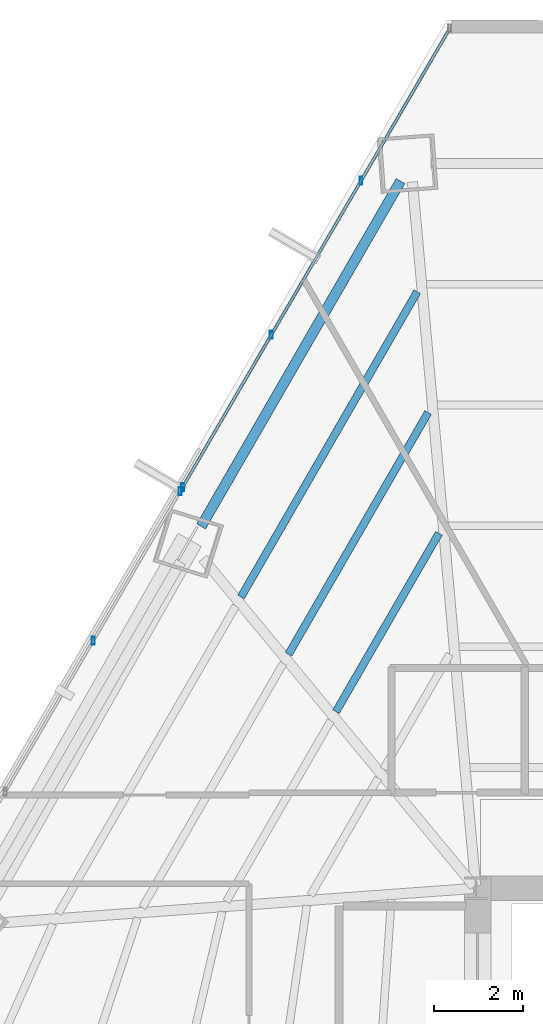
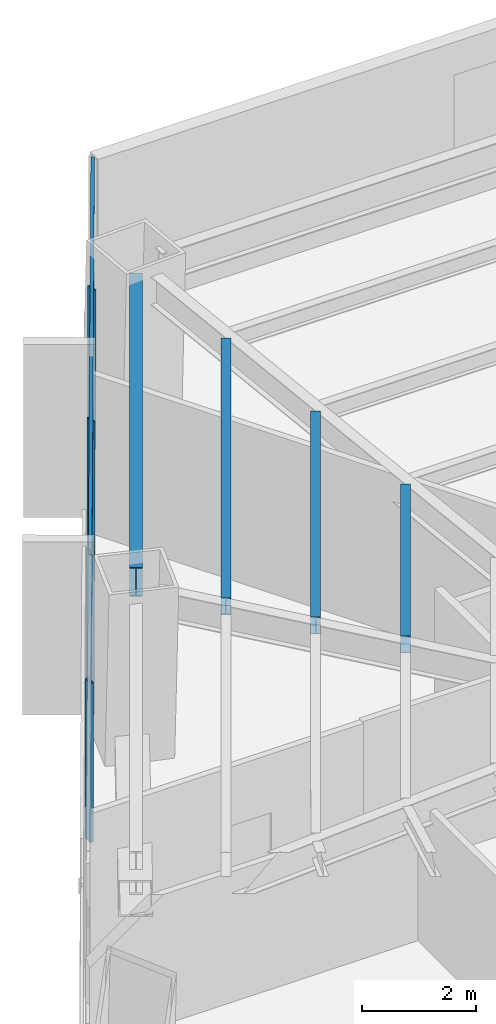
# One storey, part 22 of 33: 7 members, 4 beams, 2 elements without a shape of their own.
"""IFC4 building model written with IfcOpenShell, lengths in metres."""

from ifc_helpers import new_model, si_unit, direction, frame, origin, origin_2d, place, context, subcontext, project, spatial, hollow_rectangle, i_section, extrude, source, transform, mapped, material, material_profile, profile_set, type_object, type_shapes, element, aggregate, save


model = new_model("IFC4")

# Units and contexts
model_context = context("Model", 3, precision=1e-05, world=origin(), true_north=direction((0.0, 1.0)))
body_context = subcontext(model_context, "Body", "Model", "MODEL_VIEW")
ifc_project = project(units=[si_unit("LENGTHUNIT", "METRE"), si_unit("AREAUNIT", "SQUARE_METRE"), si_unit("VOLUMEUNIT", "CUBIC_METRE"), si_unit("PLANEANGLEUNIT", "RADIAN"), si_unit("MASSUNIT", "GRAM", prefix="KILO")], contexts=[model_context])

# Site, building, storey
site_placement = place(None, origin())
site = spatial("IfcSite", under=ifc_project, at=site_placement, CompositionType="ELEMENT")
building_placement = place(site_placement, origin())
building = spatial("IfcBuilding", under=site, at=building_placement, Name="Caelisora Broadcast Tower", CompositionType="ELEMENT")
storey_placement = place(building_placement, frame((0.0, 0.0, 38.550048828125)))
storey = spatial("IfcBuildingStorey", under=building, at=storey_placement, Name="L09", CompositionType="ELEMENT", Elevation=38.550048828125)

# Beams
ifc_material_1 = material(Name="Steel Grade 350 (AS/NZS 3679.1)", Category="steel")
ifc_material_profile_1 = material_profile(ifc_material_1, i_section(OverallWidth=0.22900390625, OverallDepth=0.611572265625, WebThickness=0.011962890625, FlangeThickness=0.01953125, at=origin_2d()), Name="Steel Grade 350 (AS/NZS 3679.1)")
ifc_profile_set_1 = profile_set([ifc_material_profile_1], Name="Steel Grade 350 (AS/NZS 3679.1)")
beam_type_1 = type_object("IfcBeamType", Name="PG03", PredefinedType="BEAM", material=ifc_profile_set_1)
shared_shape_1 = source(origin(), body_context, "Body", "SweptSolid", [
    extrude(i_section(OverallWidth=0.22900390625, OverallDepth=0.611572265625, WebThickness=0.011962890625, FlangeThickness=0.01953125, at=origin_2d()), origin(), (0.0, 0.0, 1.0), 8.966064453125),
])
type_shapes(beam_type_1, [shared_shape_1])
beam_1_placement = place(storey_placement, frame((28.807373046875, 45.8994140625, 3.09423828125), z_axis=(-0.500007651797, -0.866020985972, 0.0), x_axis=(0.866020985972, -0.500007651797, 0.0)))
element("IfcBeam", 1, at=beam_1_placement, inside=storey, type_object=beam_type_1, Name="L09 beam PG03", PredefinedType="BEAM", context=body_context, shape_type="MappedRepresentation", body=[
    mapped(shared_shape_1, transform((0.0, 0.0, 0.0), scale=1.0)),
])
ifc_material_profile_2 = material_profile(ifc_material_1, i_section(OverallWidth=0.172119140625, OverallDepth=0.358642578125, WebThickness=0.008056640625, FlangeThickness=0.012939453125, at=origin_2d()), Name="Steel Grade 350 (AS/NZS 3679.1)")
ifc_profile_set_2 = profile_set([ifc_material_profile_2], Name="Steel Grade 350 (AS/NZS 3679.1)")
beam_type_2 = type_object("IfcBeamType", Name="SB02", PredefinedType="JOIST", material=ifc_profile_set_2)
shared_shape_2 = source(origin(), body_context, "Body", "SweptSolid", [
    extrude(i_section(OverallWidth=0.172119140625, OverallDepth=0.358642578125, WebThickness=0.008056640625, FlangeThickness=0.012939453125, at=origin_2d()), origin(), (0.0, 0.0, 1.0), 4.62939453125),
])
beam_2_placement = place(storey_placement, frame((29.671142578125, 37.97998046875, 3.220703125), z_axis=(-0.4999902654, -0.866031023985, 0.0), x_axis=(0.866031023985, -0.4999902654, 0.0)))
element("IfcBeam", 2, at=beam_2_placement, inside=storey, type_object=beam_type_2, Name="L09 beam SB02", PredefinedType="JOIST", context=body_context, shape_type="MappedRepresentation", body=[
    mapped(shared_shape_2, transform((0.0, 0.0, 0.0), scale=1.0)),
])
shared_shape_3 = source(origin(), body_context, "Body", "SweptSolid", [
    extrude(i_section(OverallWidth=0.172119140625, OverallDepth=0.358642578125, WebThickness=0.008056640625, FlangeThickness=0.012939453125, at=origin_2d()), origin(), (0.0, 0.0, 1.0), 6.27685546875),
])
beam_3_placement = place(storey_placement, frame((29.42724609375, 40.6962890625, 3.220703125), z_axis=(-0.499991800177, -0.866030137903, 0.0), x_axis=(0.866030137903, -0.499991800177, 0.0)))
element("IfcBeam", 3, at=beam_3_placement, inside=storey, type_object=beam_type_2, Name="L09 beam SB02", PredefinedType="JOIST", context=body_context, shape_type="MappedRepresentation", body=[
    mapped(shared_shape_3, transform((0.0, 0.0, 0.0), scale=1.0)),
])
shared_shape_4 = source(origin(), body_context, "Body", "SweptSolid", [
    extrude(i_section(OverallWidth=0.172119140625, OverallDepth=0.358642578125, WebThickness=0.008056640625, FlangeThickness=0.012939453125, at=origin_2d()), origin(), (0.0, 0.0, 1.0), 7.9248046875),
])
type_shapes(beam_type_2, [shared_shape_2, shared_shape_3, shared_shape_4])
beam_4_placement = place(storey_placement, frame((29.18359375, 43.41259765625, 3.220703125), z_axis=(-0.500002462644, -0.866023981971, 0.0), x_axis=(0.866023981971, -0.500002462644, 0.0)))
element("IfcBeam", 4, at=beam_4_placement, inside=storey, type_object=beam_type_2, Name="L09 beam SB02", PredefinedType="JOIST", context=body_context, shape_type="MappedRepresentation", body=[
    mapped(shared_shape_4, transform((0.0, 0.0, 0.0), scale=1.0)),
])

# Curtain wall, members
ifc_material_2 = material(Name="Unitised Aluminium Insulated Shadow-Box Spandrel Curtain Wall", Category="aluminium")
curtain_wall_type_1 = type_object("IfcCurtainWallType", Name="CW-SP1", PredefinedType="NOTDEFINED", material=ifc_material_2)
curtain_wall_1_placement = place(storey_placement, origin())
curtain_wall_1 = element("IfcCurtainWall", 5, at=curtain_wall_1_placement, inside=storey, type_object=curtain_wall_type_1, Name="L09 curtain wall CW-SP1", PredefinedType="NOTDEFINED")
ifc_material_3 = material(Name="Aluminium 6063-T6 Anodised Terracotta Bronze", Category="aluminium")
ifc_material_profile_3 = material_profile(ifc_material_3, hollow_rectangle(XDim=0.06494140625, YDim=0.179931640625, WallThickness=0.00341796875, at=origin_2d()), Name="Aluminium 6063-T6 Anodised Terracotta Bronze")
ifc_profile_set_3 = profile_set([ifc_material_profile_3], Name="Aluminium 6063-T6 Anodised Terracotta Bronze")
member_type_1 = type_object("IfcMemberType", Name="CWM-02", PredefinedType="MULLION", material=ifc_profile_set_3)
shared_shape_5 = source(origin(), body_context, "Body", "SweptSolid", [
    extrude(hollow_rectangle(XDim=0.06494140625, YDim=0.179931640625, WallThickness=0.00341796875, at=origin_2d()), origin(), (0.0, 0.0, 1.0), 3.39990234375),
])
type_shapes(member_type_1, [shared_shape_5])
member_1_placement = place(storey_placement, frame((21.899169921875, 35.568603515625, 0.0), z_axis=(0.0, 0.0, 1.0), x_axis=(1.0, 0.0, 0.0)))
member_1 = element("IfcMember", 6, at=member_1_placement, type_object=member_type_1, Name="L09-CW-B10 mullion #2", PredefinedType="MULLION", context=body_context, shape_type="MappedRepresentation", body=[
    mapped(shared_shape_5, transform((0.0, 0.0, 0.0), scale=1.0)),
])
member_2_placement = place(storey_placement, frame((23.852294921875, 38.92236328125, 0.0), z_axis=(0.0, 0.0, 1.0), x_axis=(1.0, 0.0, 0.0)))
member_2 = element("IfcMember", 7, at=member_2_placement, type_object=member_type_1, Name="L09-CW-B10 mullion #3", PredefinedType="MULLION", context=body_context, shape_type="MappedRepresentation", body=[
    mapped(shared_shape_5, transform((0.0, 0.0, 0.0), scale=1.0)),
])
aggregate(curtain_wall_1, [member_1, member_2])

ifc_material_4 = material(Name="Unitised Aluminium and Low-E Glass Curtain Wall", Category="glass")
curtain_wall_type_2 = type_object("IfcCurtainWallType", Name="CW-Z1", PredefinedType="NOTDEFINED", material=ifc_material_4)
curtain_wall_2_placement = place(storey_placement, origin())
curtain_wall_2 = element("IfcCurtainWall", 8, at=curtain_wall_2_placement, inside=storey, type_object=curtain_wall_type_2, Name="L09 curtain wall CW-Z1", PredefinedType="NOTDEFINED")
member_3_placement = place(storey_placement, frame((23.90771484375, 39.017333984375, 0.0), z_axis=(0.0, 0.0, 1.0), x_axis=(1.0, 0.0, 0.0)))
member_3 = element("IfcMember", 9, at=member_3_placement, type_object=member_type_1, Name="L09-CW-B11 mullion #0", PredefinedType="MULLION", context=body_context, shape_type="MappedRepresentation", body=[
    mapped(shared_shape_5, transform((0.0, 0.0, 0.0), scale=1.0)),
])
member_4_placement = place(storey_placement, frame((25.901123046875, 42.439697265625, 0.0), z_axis=(0.0, 0.0, 1.0), x_axis=(1.0, 0.0, 0.0)))
member_4 = element("IfcMember", 10, at=member_4_placement, type_object=member_type_1, Name="L09-CW-B11 mullion #1", PredefinedType="MULLION", context=body_context, shape_type="MappedRepresentation", body=[
    mapped(shared_shape_5, transform((0.0, 0.0, 0.0), scale=1.0)),
])
member_5_placement = place(storey_placement, frame((27.91943359375, 45.905517578125, 0.0), z_axis=(0.0, 0.0, 1.0), x_axis=(1.0, 0.0, 0.0)))
member_5 = element("IfcMember", 11, at=member_5_placement, type_object=member_type_1, Name="L09-CW-B11 mullion #2", PredefinedType="MULLION", context=body_context, shape_type="MappedRepresentation", body=[
    mapped(shared_shape_5, transform((0.0, 0.0, 0.0), scale=1.0)),
])
ifc_material_profile_4 = material_profile(ifc_material_3, hollow_rectangle(XDim=0.06494140625, YDim=0.179931640625, WallThickness=0.00341796875, at=origin_2d()), Name="Aluminium 6063-T6 Anodised Terracotta Bronze")
ifc_profile_set_4 = profile_set([ifc_material_profile_4], Name="Aluminium 6063-T6 Anodised Terracotta Bronze")
member_type_2 = type_object("IfcMemberType", Name="CWT-01", PredefinedType="USERDEFINED", material=ifc_profile_set_4)
shared_shape_6 = source(origin(), body_context, "Body", "SweptSolid", [
    extrude(hollow_rectangle(XDim=0.06494140625, YDim=0.179931640625, WallThickness=0.00341796875, at=origin_2d()), origin(), (0.0, 0.0, 1.0), 11.931884765625),
])
type_shapes(member_type_2, [shared_shape_6])
member_6_placement = place(storey_placement, frame((23.90771484375, 39.017333984375, 0.849853515625), z_axis=(0.503285696545, 0.864120077103, 0.0), x_axis=(-0.864120077103, 0.503285696545, 0.0)))
member_6 = element("IfcMember", 12, at=member_6_placement, type_object=member_type_2, Name="L09-CW-B11 transom #1", ObjectType="TRANSOM", PredefinedType="USERDEFINED", context=body_context, shape_type="MappedRepresentation", body=[
    mapped(shared_shape_6, transform((0.0, 0.0, 0.0), scale=1.0)),
])
member_7_placement = place(storey_placement, frame((23.90771484375, 39.017333984375, 3.320068359375), z_axis=(0.503285696545, 0.864120077103, 0.0), x_axis=(-0.864120077103, 0.503285696545, 0.0)))
member_7 = element("IfcMember", 13, at=member_7_placement, type_object=member_type_2, Name="L09-CW-B11 transom #2", ObjectType="TRANSOM", PredefinedType="USERDEFINED", context=body_context, shape_type="MappedRepresentation", body=[
    mapped(shared_shape_6, transform((0.0, 0.0, 0.0), scale=1.0)),
])
aggregate(curtain_wall_2, [member_3, member_4, member_5, member_6, member_7])

save(model, "model.ifc")
